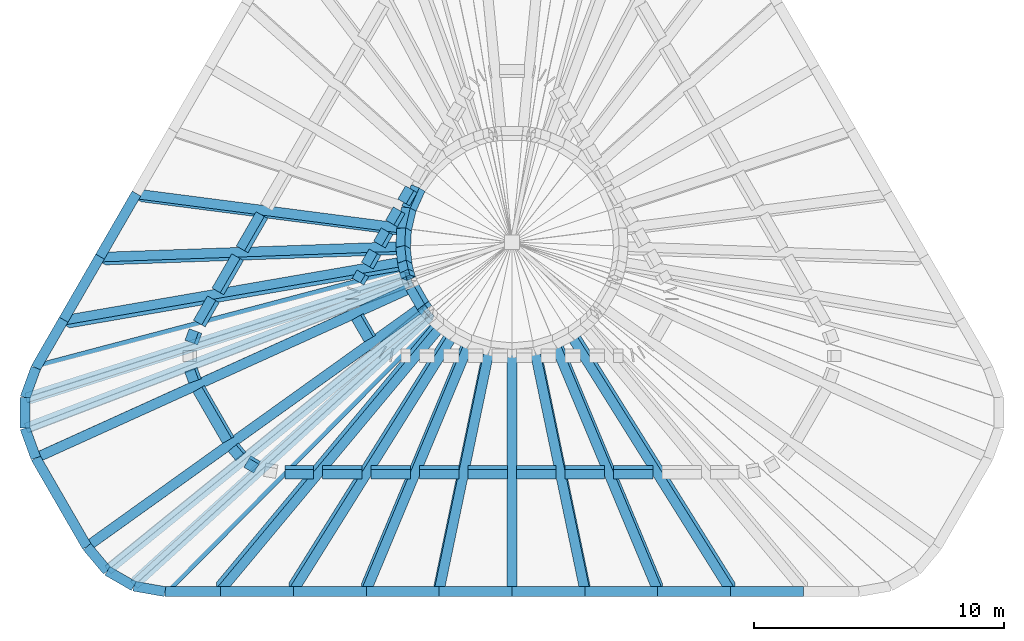
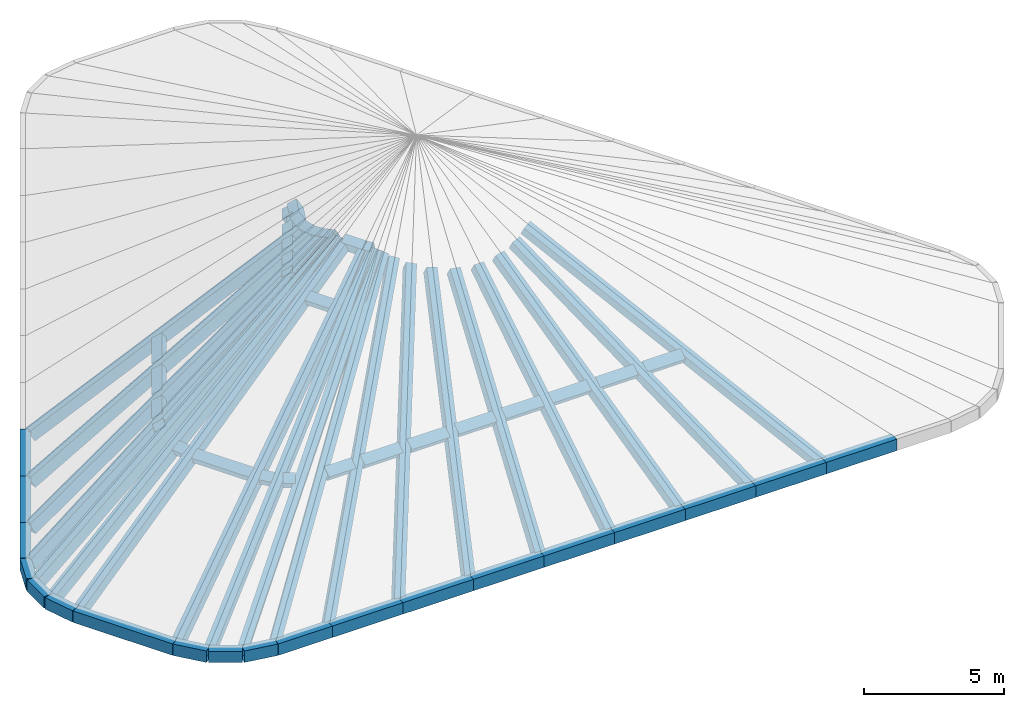
# One storey, part 1 of 5: 68 members.
"""IFC4 building model written with IfcOpenShell, lengths in metres."""

import ifcopenshell
import ifcopenshell.guid

model = None  # the IFC model being written
_history = None  # IfcOwnerHistory: only IFC2X3 demands one
_inside = {}  # id of a spatial element -> (the spatial element, [elements in it])
_under = {}  # id of a project, library or spatial element -> (it, [spatial elements below it])
_declared = {}  # id of a project -> (the project, [libraries it declares])
_typed = {}  # id of a type object -> (the type object, [elements of that type])
_made_of = {}  # id of a material, layer set ... -> (it, [elements and type objects made of it])


def new_model(schema):
    """Start an empty IFC model of exactly this schema.

    Asked for "IFC4X3", IfcOpenShell would pick the latest addendum, in which some entities
    have other attributes; the version numbers below select the first issue.
    IFC2X3 requires an IfcOwnerHistory on every rooted entity: one is made here for all.
    """
    global model, _history
    if schema == "IFC4X3":
        model = ifcopenshell.file(schema_version=(4, 3, 0, 0))
    else:
        model = ifcopenshell.file(schema=schema)
    _inside.clear()
    _under.clear()
    _declared.clear()
    _typed.clear()
    _made_of.clear()
    _history = None
    if model.schema == "IFC2X3":
        org = make("IfcOrganization", Name="unknown")
        user = make(
            "IfcPersonAndOrganization",
            ThePerson=make("IfcPerson", FamilyName="unknown"),
            TheOrganization=org,
        )
        app = make(
            "IfcApplication",
            ApplicationDeveloper=org,
            Version="unknown",
            ApplicationFullName="unknown",
            ApplicationIdentifier="unknown",
        )
        _history = make(
            "IfcOwnerHistory",
            OwningUser=user,
            OwningApplication=app,
            ChangeAction="ADDED",
            CreationDate=0,
        )
    return model


def make(cls, **values):
    """One entity of the class cls with the attributes given. An attribute that is None is left unset."""
    return model.create_entity(
        cls, **{name: value for name, value in values.items() if value is not None}
    )


def rooted(cls, **values):
    """An entity with a GlobalId (a new one), such as an element, a storey or a relation."""
    return make(cls, GlobalId=ifcopenshell.guid.new(), OwnerHistory=_history, **values)


def si_unit(unit_type, name, prefix=None):
    """IfcSIUnit, for example si_unit("LENGTHUNIT", "METRE", prefix="MILLI")."""
    return make("IfcSIUnit", UnitType=unit_type, Prefix=prefix, Name=name)


def assignment(units):
    """IfcUnitAssignment: the units of a project."""
    return None if units is None else make("IfcUnitAssignment", Units=units)


def point(xyz):
    """IfcCartesianPoint."""
    return None if xyz is None else make("IfcCartesianPoint", Coordinates=xyz)


def direction(xyz):
    """IfcDirection."""
    return None if xyz is None else make("IfcDirection", DirectionRatios=xyz)


def frame(location, z_axis=None, x_axis=None):
    """IfcAxis2Placement3D, a coordinate frame: its origin and axes. An axis left out is left unset."""
    return make(
        "IfcAxis2Placement3D",
        Location=point(location),
        Axis=direction(z_axis),
        RefDirection=direction(x_axis),
    )


def frame_2d(location, x_axis=None):
    """IfcAxis2Placement2D, a coordinate frame in the plane: its origin and x axis."""
    return make(
        "IfcAxis2Placement2D", Location=point(location), RefDirection=direction(x_axis)
    )


def origin():
    """The frame at (0, 0, 0) with its axes left unset."""
    return frame((0.0, 0.0, 0.0))


def origin_2d():
    """The frame at (0, 0) in the plane with its x axis left unset."""
    return frame_2d((0.0, 0.0))


def place(relative_to, where):
    """IfcLocalPlacement: puts the frame where relative to a parent placement (None: the world)."""
    return make(
        "IfcLocalPlacement", PlacementRelTo=relative_to, RelativePlacement=where
    )


def context(
    kind, dimensions, precision=None, world=None, true_north=None, identifier=None
):
    """IfcGeometricRepresentationContext, for example the 3D "Model" context."""
    return make(
        "IfcGeometricRepresentationContext",
        ContextIdentifier=identifier,
        ContextType=kind,
        CoordinateSpaceDimension=dimensions,
        Precision=precision,
        WorldCoordinateSystem=world,
        TrueNorth=true_north,
    )


def subcontext(parent, identifier, kind, view, scale=None):
    """IfcGeometricRepresentationSubContext, for example "Body" below "Model"."""
    return make(
        "IfcGeometricRepresentationSubContext",
        ContextIdentifier=identifier,
        ContextType=kind,
        ParentContext=parent,
        TargetScale=scale,
        TargetView=view,
    )


def project(units=None, contexts=None):
    """IfcProject with its units and contexts."""
    return rooted(
        "IfcProject",
        Name="project",
        RepresentationContexts=contexts,
        UnitsInContext=assignment(units),
    )


def spatial(cls, under=None, at=None, **own):
    """A site, building, storey or space (cls), placed at a placement, below another one or the project."""
    s = rooted(cls, ObjectPlacement=at, **own)
    if under is not None:
        _under.setdefault(under.id(), (under, []))[1].append(s)
    return s


def profile(cls, at=None, kind="AREA", **sizes):
    """A parametric profile (cls). Its sizes go by their IFC names, for example OverallWidth=200.0."""
    return make(cls, ProfileType=kind, Position=at, **sizes)


def hollow_rectangle(**sizes):
    """IfcRectangleHollowProfileDef."""
    return profile("IfcRectangleHollowProfileDef", **sizes)


def extrude(swept, where, along, depth):
    """IfcExtrudedAreaSolid: the profile swept, set in the frame where, extruded along a direction by depth."""
    return make(
        "IfcExtrudedAreaSolid",
        SweptArea=swept,
        Position=where,
        ExtrudedDirection=direction(along),
        Depth=depth,
    )


def shape(context_of_items, identifier, shape_type, items):
    """IfcShapeRepresentation: the items that make up one representation, for example the "Body"."""
    return make(
        "IfcShapeRepresentation",
        ContextOfItems=context_of_items,
        RepresentationIdentifier=identifier,
        RepresentationType=shape_type,
        Items=items,
    )


def material(Name=None, Category=None):
    """IfcMaterial."""
    return make("IfcMaterial", Name=Name, Category=Category)


def material_profile(
    of_material, cross_section, Name=None, Category=None, Priority=None
):
    """IfcMaterialProfile: a cross section and its material."""
    return make(
        "IfcMaterialProfile",
        Name=Name,
        Material=of_material,
        Profile=cross_section,
        Priority=Priority,
        Category=Category,
    )


def profile_set(profiles, Name=None, composite=None):
    """IfcMaterialProfileSet."""
    return make(
        "IfcMaterialProfileSet",
        Name=Name,
        MaterialProfiles=profiles,
        CompositeProfile=composite,
    )


def made_of(thing, what):
    """Note that an element or type object is made of a material, layer set ...; save() writes the relation."""
    if what is not None:
        _made_of.setdefault(what.id(), (what, []))[1].append(thing)
    return thing


def type_object(cls, material=None, **own):
    """A type object (cls), such as IfcWallType, which elements share."""
    return made_of(rooted(cls, **own), material)


def element(
    cls,
    number,
    at=None,
    inside=None,
    cuts=None,
    type_object=None,
    material=None,
    context=None,
    identifier="Body",
    shape_type=None,
    held_by="IfcProductDefinitionShape",
    body=None,
    shapes=None,
    **own,
):
    """One element of the class cls, such as IfcWall. Its Tag is "e" and its number.

    at: its placement. inside: the storey or other place that contains it. cuts: it is an
    opening in that element (IfcRelVoidsElement). A single representation is given by context,
    identifier, shape_type and body (its items); several are given by shapes. held_by: the class
    of the entity that holds the representations. save() writes the other relations.
    """
    e = rooted(cls, Tag="e%d" % number, ObjectPlacement=at, **own)
    if body is not None:
        shapes = [shape(context, identifier, shape_type, body)]
    if shapes is not None:
        e.Representation = make(held_by, Representations=shapes)
    if inside is not None:
        _inside.setdefault(inside.id(), (inside, []))[1].append(e)
    if cuts is not None:
        rooted(
            "IfcRelVoidsElement", RelatingBuildingElement=cuts, RelatedOpeningElement=e
        )
    if type_object is not None:
        _typed.setdefault(type_object.id(), (type_object, []))[1].append(e)
    return made_of(e, material)


def aggregate(whole, parts):
    """IfcRelAggregates: a whole, such as a stair, and the parts it consists of."""
    return rooted("IfcRelAggregates", RelatingObject=whole, RelatedObjects=parts)


def save(model, path):
    """Write the relations noted so far, then the file.

    IfcRelAggregates (storeys below a building ...), IfcRelContainedInSpatialStructure (elements
    in a storey), IfcRelDefinesByType, IfcRelAssociatesMaterial and IfcRelDeclares: one each for
    every whole, place, type object, material and project.
    """
    for whole, parts in _under.values():
        aggregate(whole, parts)
    for where, things in _inside.values():
        rooted(
            "IfcRelContainedInSpatialStructure",
            RelatedElements=things,
            RelatingStructure=where,
        )
    for kind, things in _typed.values():
        rooted("IfcRelDefinesByType", RelatedObjects=things, RelatingType=kind)
    for what, things in _made_of.values():
        rooted("IfcRelAssociatesMaterial", RelatedObjects=things, RelatingMaterial=what)
    for by, libraries in _declared.values():
        rooted("IfcRelDeclares", RelatingContext=by, RelatedDefinitions=libraries)
    model.write(path)


model = new_model("IFC4")

# Units and contexts
model_context = context("Model", 3, precision=1e-05, world=origin(), true_north=direction((0.0, 1.0)))
body_context = subcontext(model_context, "Body", "Model", "MODEL_VIEW")
ifc_project = project(units=[si_unit("LENGTHUNIT", "METRE"), si_unit("AREAUNIT", "SQUARE_METRE"), si_unit("VOLUMEUNIT", "CUBIC_METRE"), si_unit("PLANEANGLEUNIT", "RADIAN"), si_unit("MASSUNIT", "GRAM", prefix="KILO")], contexts=[model_context])

# Site, building, storey
site_placement = place(None, origin())
site = spatial("IfcSite", under=ifc_project, at=site_placement, CompositionType="ELEMENT")
building_placement = place(site_placement, origin())
building = spatial("IfcBuilding", under=site, at=building_placement, Name="Apuvela Tower Hotel", CompositionType="ELEMENT")
storey_placement = place(building_placement, frame((0.0, 0.0, 371.300048828125)))
storey = spatial("IfcBuildingStorey", under=building, at=storey_placement, Name="R-7 ROOF", CompositionType="ELEMENT", Elevation=371.300048828125)

# Members
ifc_material_1 = material(Name="Steel S355, dark grey paint system", Category="steel")
ifc_material_profile_1 = material_profile(ifc_material_1, hollow_rectangle(XDim=0.39990234375, YDim=0.449951171875, WallThickness=0.01611328125, at=origin_2d()), Name="HSS 450x400x16")
ifc_profile_set_1 = profile_set([ifc_material_profile_1], Name="Steel S355, dark grey paint system")
member_type_1 = type_object("IfcMemberType", Name="ENV-CROWN-HIP-450x400", PredefinedType="RAFTER", material=ifc_profile_set_1)
member_1_placement = place(storey_placement, frame((-14.882080078125, 1.864990234375, 0.001708984375), z_axis=(0.858674995556, -0.111076142755, 0.500339227442), x_axis=(0.226894776845, 0.957742133192, -0.176773206536)))
element("IfcMember", 1, at=member_1_placement, inside=storey, type_object=member_type_1, Name="Crown frame hip 14", PredefinedType="RAFTER", context=body_context, shape_type="SweptSolid", body=[
    extrude(hollow_rectangle(XDim=0.39990234375, YDim=0.449951171875, WallThickness=0.01611328125, at=origin_2d()), origin(), (0.0, 0.0, 1.0), 12.291015625),
])
member_2_placement = place(storey_placement, frame((-16.33837890625, -0.657470703125, 0.001708984375), z_axis=(0.882711067632, 0.031060085271, 0.468888517863), x_axis=(0.09808332557, 0.963657706766, -0.248482364435)))
element("IfcMember", 2, at=member_2_placement, inside=storey, type_object=member_type_1, Name="Crown frame hip 15", PredefinedType="RAFTER", context=body_context, shape_type="SweptSolid", body=[
    extrude(hollow_rectangle(XDim=0.39990234375, YDim=0.449951171875, WallThickness=0.01611328125, at=origin_2d()), origin(), (0.0, 0.0, 1.0), 13.56689453125),
])
member_3_placement = place(storey_placement, frame((-17.794921875, -3.18017578125, 0.001708984375), z_axis=(0.888014645846, 0.153659932477, 0.433380449391), x_axis=(-0.01525526936, 0.951836677855, -0.306225758953)))
element("IfcMember", 3, at=member_3_placement, inside=storey, type_object=member_type_1, Name="Crown frame hip 16", PredefinedType="RAFTER", context=body_context, shape_type="SweptSolid", body=[
    extrude(hollow_rectangle(XDim=0.39990234375, YDim=0.449951171875, WallThickness=0.01611328125, at=origin_2d()), origin(), (0.0, 0.0, 1.0), 15.197265625),
])
member_4_placement = place(storey_placement, frame((-18.902587890625, -5.09423828125, -0.014892578125), z_axis=(0.883570824251, 0.233340933113, 0.406022914952), x_axis=(-0.114770594684, 0.948476801446, -0.295329422366)))
element("IfcMember", 4, at=member_4_placement, inside=storey, type_object=member_type_1, Name="Crown frame hip 17", PredefinedType="RAFTER", context=body_context, shape_type="SweptSolid", body=[
    extrude(hollow_rectangle(XDim=0.39990234375, YDim=0.449951171875, WallThickness=0.01611328125, at=origin_2d()), origin(), (0.0, 0.0, 1.0), 16.62646484375),
])
member_5_placement = place(storey_placement, frame((-19.33984375, -6.24609375, -0.033447265625), z_axis=(0.875758980688, 0.279705703732, 0.393460197535), x_axis=(-0.219349835439, 0.956605356274, -0.191811996602)))
element("IfcMember", 5, at=member_5_placement, inside=storey, type_object=member_type_1, Name="Crown frame hip 18", PredefinedType="RAFTER", context=body_context, shape_type="SweptSolid", body=[
    extrude(hollow_rectangle(XDim=0.39990234375, YDim=0.449951171875, WallThickness=0.01611328125, at=origin_2d()), origin(), (0.0, 0.0, 1.0), 17.343505859375),
])
member_6_placement = place(storey_placement, frame((-19.35400390625, -7.419189453125, -0.037841796875), z_axis=(0.861368802038, 0.329053265127, 0.386998366385), x_axis=(-0.328203887498, 0.941977626613, -0.070429817495)))
element("IfcMember", 6, at=member_6_placement, inside=storey, type_object=member_type_1, Name="Crown frame hip 19", PredefinedType="RAFTER", context=body_context, shape_type="SweptSolid", body=[
    extrude(hollow_rectangle(XDim=0.39990234375, YDim=0.449951171875, WallThickness=0.01611328125, at=origin_2d()), origin(), (0.0, 0.0, 1.0), 17.7294921875),
])
for number, where, z_axis, x_axis, name in (
    (7, (-18.9345703125, -8.58203125, -0.031982421875), (0.840167545643, 0.38086607067, 0.386082285867), (-0.414340280417, 0.910113928499, 0.003843068445), "Crown frame hip 20"),
    (8, (-16.8994140625, -12.10693359375, -0.031982421875), (0.749913213544, 0.537187745032, 0.386082243491), (-0.581027196846, 0.813875068637, -0.003843068519), "Crown frame hip 21"),
):
    element("IfcMember", number, at=place(storey_placement, frame(where, z_axis=z_axis, x_axis=x_axis)), inside=storey, type_object=member_type_1, Name=name, PredefinedType="RAFTER", context=body_context, shape_type="SweptSolid", body=[
        extrude(hollow_rectangle(XDim=0.39990234375, YDim=0.449951171875, WallThickness=0.01611328125, at=origin_2d()), origin(), (0.0, 0.0, 1.0), 17.78564453125),
    ])
member_7_placement = place(storey_placement, frame((-16.102294921875, -13.051513671875, -0.037841796875), z_axis=(0.715662107138, 0.58143070907, 0.386996226025), x_axis=(-0.65166341444, 0.755231372112, 0.070429886109)))
element("IfcMember", 9, at=member_7_placement, inside=storey, type_object=member_type_1, Name="Crown frame hip 22", PredefinedType="RAFTER", context=body_context, shape_type="SweptSolid", body=[
    extrude(hollow_rectangle(XDim=0.39990234375, YDim=0.449951171875, WallThickness=0.01611328125, at=origin_2d()), origin(), (0.0, 0.0, 1.0), 17.729736328125),
])
member_8_placement = place(storey_placement, frame((-15.0791015625, -13.62548828125, -0.033447265625), z_axis=(0.680114671533, 0.618570163856, 0.393465355467), x_axis=(-0.718765481998, 0.668269793224, 0.191811536025)))
element("IfcMember", 10, at=member_8_placement, inside=storey, type_object=member_type_1, Name="Crown frame hip 23", PredefinedType="RAFTER", context=body_context, shape_type="SweptSolid", body=[
    extrude(hollow_rectangle(XDim=0.39990234375, YDim=0.449951171875, WallThickness=0.01611328125, at=origin_2d()), origin(), (0.0, 0.0, 1.0), 17.34326171875),
])
member_9_placement = place(storey_placement, frame((-13.86279296875, -13.822998046875, -0.014892578125), z_axis=(0.64385926593, 0.648528743365, 0.406024278467), x_axis=(-0.764024347925, 0.573626571647, 0.295329226591)))
element("IfcMember", 11, at=member_9_placement, inside=storey, type_object=member_type_1, Name="Crown frame hip 24", PredefinedType="RAFTER", context=body_context, shape_type="SweptSolid", body=[
    extrude(hollow_rectangle(XDim=0.39990234375, YDim=0.449951171875, WallThickness=0.01611328125, at=origin_2d()), origin(), (0.0, 0.0, 1.0), 16.62646484375),
])
member_10_placement = place(storey_placement, frame((-11.651611328125, -13.82080078125, 0.001708984375), z_axis=(0.57707900281, 0.692215276212, 0.433379551773), x_axis=(-0.816688327639, 0.489127662499, 0.306225905626)))
element("IfcMember", 12, at=member_10_placement, inside=storey, type_object=member_type_1, Name="Crown frame hip 25", PredefinedType="RAFTER", context=body_context, shape_type="SweptSolid", body=[
    extrude(hollow_rectangle(XDim=0.39990234375, YDim=0.449951171875, WallThickness=0.01611328125, at=origin_2d()), origin(), (0.0, 0.0, 1.0), 15.197265625),
])
member_11_placement = place(storey_placement, frame((-8.73876953125, -13.82080078125, 0.001708984375), z_axis=(0.468267224493, 0.748918044307, 0.468879056237), x_axis=(-0.883586898073, 0.396900498728, 0.248483777463)))
element("IfcMember", 13, at=member_11_placement, inside=storey, type_object=member_type_1, Name="Crown frame hip 26", PredefinedType="RAFTER", context=body_context, shape_type="SweptSolid", body=[
    extrude(hollow_rectangle(XDim=0.39990234375, YDim=0.449951171875, WallThickness=0.01611328125, at=origin_2d()), origin(), (0.0, 0.0, 1.0), 13.567138671875),
])
member_12_placement = place(storey_placement, frame((-5.82568359375, -13.82080078125, 0.001708984375), z_axis=(0.33311514369, 0.799178388555, 0.500348083149), x_axis=(-0.942886154865, 0.282342525683, 0.176772161708)))
element("IfcMember", 14, at=member_12_placement, inside=storey, type_object=member_type_1, Name="Crown frame hip 27", PredefinedType="RAFTER", context=body_context, shape_type="SweptSolid", body=[
    extrude(hollow_rectangle(XDim=0.39990234375, YDim=0.449951171875, WallThickness=0.01611328125, at=origin_2d()), origin(), (0.0, 0.0, 1.0), 12.290771484375),
])
member_13_placement = place(storey_placement, frame((-2.912841796875, -13.82080078125, 0.001708984375), z_axis=(0.173951708253, 0.834670118349, 0.522557744877), x_axis=(-0.984754184135, 0.147437420817, 0.092311449844)))
element("IfcMember", 15, at=member_13_placement, inside=storey, type_object=member_type_1, Name="Crown frame hip 28", PredefinedType="RAFTER", context=body_context, shape_type="SweptSolid", body=[
    extrude(hollow_rectangle(XDim=0.39990234375, YDim=0.449951171875, WallThickness=0.01611328125, at=origin_2d()), origin(), (0.0, 0.0, 1.0), 11.466552734375),
])
member_14_placement = place(storey_placement, frame((0.0, -13.82080078125, 0.001708984375), z_axis=(0.0, 0.847589535014, 0.530652409903), x_axis=(-1.0, 0.0, 0.0)))
element("IfcMember", 16, at=member_14_placement, inside=storey, type_object=member_type_1, Name="Crown frame hip 29", PredefinedType="RAFTER", context=body_context, shape_type="SweptSolid", body=[
    extrude(hollow_rectangle(XDim=0.39990234375, YDim=0.449951171875, WallThickness=0.01611328125, at=origin_2d()), origin(), (0.0, 0.0, 1.0), 11.180419921875),
])
member_15_placement = place(storey_placement, frame((2.912841796875, -13.82080078125, 0.001708984375), z_axis=(-0.173951708253, 0.834670118349, 0.522557744877), x_axis=(-0.984754184135, -0.147437420817, -0.092311449844)))
element("IfcMember", 17, at=member_15_placement, inside=storey, type_object=member_type_1, Name="Crown frame hip 30", PredefinedType="RAFTER", context=body_context, shape_type="SweptSolid", body=[
    extrude(hollow_rectangle(XDim=0.39990234375, YDim=0.449951171875, WallThickness=0.01611328125, at=origin_2d()), origin(), (0.0, 0.0, 1.0), 11.466552734375),
])
member_16_placement = place(storey_placement, frame((5.82568359375, -13.82080078125, 0.001708984375), z_axis=(-0.33311514369, 0.799178388555, 0.500348083149), x_axis=(-0.942886154865, -0.282342525683, -0.176772161708)))
element("IfcMember", 18, at=member_16_placement, inside=storey, type_object=member_type_1, Name="Crown frame hip 31", PredefinedType="RAFTER", context=body_context, shape_type="SweptSolid", body=[
    extrude(hollow_rectangle(XDim=0.39990234375, YDim=0.449951171875, WallThickness=0.01611328125, at=origin_2d()), origin(), (0.0, 0.0, 1.0), 12.290771484375),
])
member_17_placement = place(storey_placement, frame((8.73876953125, -13.82080078125, 0.001708984375), z_axis=(-0.468267224493, 0.748918044307, 0.468879056237), x_axis=(-0.883586898073, -0.396900498728, -0.248483777463)))
element("IfcMember", 19, at=member_17_placement, inside=storey, type_object=member_type_1, Name="Crown frame hip 32", PredefinedType="RAFTER", context=body_context, shape_type="SweptSolid", body=[
    extrude(hollow_rectangle(XDim=0.39990234375, YDim=0.449951171875, WallThickness=0.01611328125, at=origin_2d()), origin(), (0.0, 0.0, 1.0), 13.567138671875),
])
ifc_material_profile_2 = material_profile(ifc_material_1, hollow_rectangle(XDim=0.449951171875, YDim=0.300048828125, WallThickness=0.013916015625, at=origin_2d()), Name="HSS 450x300x14")
ifc_profile_set_2 = profile_set([ifc_material_profile_2], Name="Steel S355, dark grey paint system")
member_type_2 = type_object("IfcMemberType", Name="ENV-CROWN-PURLIN-450x300", PredefinedType="PURLIN", material=ifc_profile_set_2)
for number, where, z_axis, x_axis, name in (
    (20, (-10.0009765625, 1.08154296875, 2.98193359375), (-0.499989616998, -0.866031398331, 0.0), (0.734041926549, -0.423787569854, 0.53064728936), "Crown frame purlin 1.14"),
    (21, (-10.971923828125, -0.60009765625, 2.98193359375), (-0.499989616998, -0.866031398331, 0.0), (0.734041926549, -0.423787569854, 0.53064728936), "Crown frame purlin 1.15"),
):
    element("IfcMember", number, at=place(storey_placement, frame(where, z_axis=z_axis, x_axis=x_axis)), inside=storey, type_object=member_type_2, Name=name, PredefinedType="PURLIN", context=body_context, shape_type="SweptSolid", body=[
        extrude(hollow_rectangle(XDim=0.449951171875, YDim=0.300048828125, WallThickness=0.013916015625, at=origin_2d()), origin(), (0.0, 0.0, 1.0), 1.58203125),
    ])
member_18_placement = place(storey_placement, frame((-11.94287109375, -2.281982421875, 2.98193359375), z_axis=(-0.500067487669, -0.865986436254, 0.0), x_axis=(0.73400381702, -0.423853572469, 0.53064728936)))
element("IfcMember", 22, at=member_18_placement, inside=storey, type_object=member_type_2, Name="Crown frame purlin 1.16", PredefinedType="PURLIN", context=body_context, shape_type="SweptSolid", body=[
    extrude(hollow_rectangle(XDim=0.449951171875, YDim=0.300048828125, WallThickness=0.013916015625, at=origin_2d()), origin(), (0.0, 0.0, 1.0), 1.122802734375),
])
for number, where, z_axis, x_axis, name in (
    (23, (-12.657470703125, -3.557373046875, 2.972900390625), (-0.341904541509, -0.939734688354, 0.0), (0.826527039738, -0.300716097925, 0.475839133564), "Crown frame purlin 1.17"),
    (24, (-12.840576171875, -5.099609375, 2.960205078125), (0.341904541509, -0.939734688354, 0.0), (0.86649416341, 0.315257373525, 0.387040893465), "Crown frame purlin 1.19"),
):
    element("IfcMember", number, at=place(storey_placement, frame(where, z_axis=z_axis, x_axis=x_axis)), inside=storey, type_object=member_type_2, Name=name, PredefinedType="PURLIN", context=body_context, shape_type="SweptSolid", body=[
        extrude(hollow_rectangle(XDim=0.449951171875, YDim=0.300048828125, WallThickness=0.013916015625, at=origin_2d()), origin(), (0.0, 0.0, 1.0), 0.485595703125),
    ])
member_19_placement = place(storey_placement, frame((-12.529296875, -5.8671875, 2.96044921875), z_axis=(0.50004387232, -0.866000072607, 0.0), x_axis=(0.798281418168, 0.460941914635, 0.387658778747)))
element("IfcMember", 25, at=member_19_placement, inside=storey, type_object=member_type_2, Name="Crown frame purlin 1.20", PredefinedType="PURLIN", context=body_context, shape_type="SweptSolid", body=[
    extrude(hollow_rectangle(XDim=0.449951171875, YDim=0.300048828125, WallThickness=0.013916015625, at=origin_2d()), origin(), (0.0, 0.0, 1.0), 2.366943359375),
])
member_20_placement = place(storey_placement, frame((-11.148681640625, -8.198486328125, 2.960205078125), z_axis=(0.642555132876, -0.766239454228, 0.0), x_axis=(0.706520705355, 0.59247602457, 0.387040893465)))
element("IfcMember", 26, at=member_20_placement, inside=storey, type_object=member_type_2, Name="Crown frame purlin 1.21", PredefinedType="PURLIN", context=body_context, shape_type="SweptSolid", body=[
    extrude(hollow_rectangle(XDim=0.449951171875, YDim=0.300048828125, WallThickness=0.013916015625, at=origin_2d()), origin(), (0.0, 0.0, 1.0), 0.485595703125),
])
member_21_placement = place(storey_placement, frame((-10.585693359375, -8.77490234375, 2.963134765625), z_axis=(0.865979171045, -0.500080068905, 0.0), x_axis=(0.456155628092, 0.78991604994, 0.409822738519)))
element("IfcMember", 27, at=member_21_placement, inside=storey, type_object=member_type_2, Name="Crown frame purlin 1.22", PredefinedType="PURLIN", context=body_context, shape_type="SweptSolid", body=[
    extrude(hollow_rectangle(XDim=0.449951171875, YDim=0.300048828125, WallThickness=0.013916015625, at=origin_2d()), origin(), (0.0, 0.0, 1.0), 0.453125),
])
member_22_placement = place(storey_placement, frame((-9.0703125, -9.201904296875, 2.98193359375), z_axis=(1.0, 0.0, 0.0), x_axis=(0.0, 0.847592740822, 0.53064728936)))
element("IfcMember", 28, at=member_22_placement, inside=storey, type_object=member_type_2, Name="Crown frame purlin 1.24", PredefinedType="PURLIN", context=body_context, shape_type="SweptSolid", body=[
    extrude(hollow_rectangle(XDim=0.449951171875, YDim=0.300048828125, WallThickness=0.013916015625, at=origin_2d()), origin(), (0.0, 0.0, 1.0), 1.12255859375),
])
for number, where, z_axis, x_axis, name in (
    (29, (-7.587646484375, -9.201904296875, 2.98193359375), (1.0, 0.0, 0.0), (0.0, 0.847592740822, 0.53064728936), "Crown frame purlin 1.25"),
    (30, (-5.645751953125, -9.201904296875, 2.98193359375), (1.0, 0.0, 0.0), (0.0, 0.847592740822, 0.53064728936), "Crown frame purlin 1.26"),
):
    element("IfcMember", number, at=place(storey_placement, frame(where, z_axis=z_axis, x_axis=x_axis)), inside=storey, type_object=member_type_2, Name=name, PredefinedType="PURLIN", context=body_context, shape_type="SweptSolid", body=[
        extrude(hollow_rectangle(XDim=0.449951171875, YDim=0.300048828125, WallThickness=0.013916015625, at=origin_2d()), origin(), (0.0, 0.0, 1.0), 1.581787109375),
    ])
for number, where, z_axis, x_axis, name in (
    (31, (-3.703857421875, -9.201904296875, 2.98193359375), (1.0, 0.0, 0.0), (0.0, 0.847592740822, 0.53064728936), "Crown frame purlin 1.27"),
    (32, (-1.761962890625, -9.201904296875, 2.98193359375), (1.0, 0.0, 0.0), (0.0, 0.847592740822, 0.53064728936), "Crown frame purlin 1.28"),
    (33, (0.179931640625, -9.201904296875, 2.98193359375), (1.0, 0.0, 0.0), (0.0, 0.847592740822, 0.53064728936), "Crown frame purlin 1.29"),
    (34, (2.121826171875, -9.201904296875, 2.98193359375), (1.0, 0.0, 0.0), (0.0, 0.847592740822, 0.53064728936), "Crown frame purlin 1.30"),
):
    element("IfcMember", number, at=place(storey_placement, frame(where, z_axis=z_axis, x_axis=x_axis)), inside=storey, type_object=member_type_2, Name=name, PredefinedType="PURLIN", context=body_context, shape_type="SweptSolid", body=[
        extrude(hollow_rectangle(XDim=0.449951171875, YDim=0.300048828125, WallThickness=0.013916015625, at=origin_2d()), origin(), (0.0, 0.0, 1.0), 1.58203125),
    ])
member_23_placement = place(storey_placement, frame((4.06396484375, -9.201904296875, 2.98193359375), z_axis=(1.0, 0.0, 0.0), x_axis=(0.0, 0.847592740822, 0.53064728936)))
element("IfcMember", 35, at=member_23_placement, inside=storey, type_object=member_type_2, Name="Crown frame purlin 1.31", PredefinedType="PURLIN", context=body_context, shape_type="SweptSolid", body=[
    extrude(hollow_rectangle(XDim=0.449951171875, YDim=0.300048828125, WallThickness=0.013916015625, at=origin_2d()), origin(), (0.0, 0.0, 1.0), 1.581787109375),
])
for number, where, z_axis, x_axis, name in (
    (36, (-4.0244140625, 2.11572265625, 5.898681640625), (-0.500264283676, -0.865872765756, 0.0), (0.733907470731, -0.424020375337, 0.53064728936), "Crown frame purlin 2.12"),
    (37, (-4.510009765625, 1.27490234375, 5.898681640625), (-0.499791624077, -0.866145676259, 0.0), (0.734138787692, -0.423619752492, 0.53064728936), "Crown frame purlin 2.13"),
):
    element("IfcMember", number, at=place(storey_placement, frame(where, z_axis=z_axis, x_axis=x_axis)), inside=storey, type_object=member_type_2, Name=name, PredefinedType="PURLIN", context=body_context, shape_type="SweptSolid", body=[
        extrude(hollow_rectangle(XDim=0.449951171875, YDim=0.300048828125, WallThickness=0.013916015625, at=origin_2d()), origin(), (0.0, 0.0, 1.0), 0.611083984375),
    ])
for number, where, z_axis, x_axis, name in (
    (38, (-4.99560546875, 0.433837890625, 5.898681640625), (-0.499664777424, -0.866218858142, 0.0), (0.734200816125, -0.423512238189, 0.53064728936), "Crown frame purlin 2.14"),
    (39, (-5.48095703125, -0.406982421875, 5.898681640625), (-0.499964620392, -0.866045829247, 0.0), (0.73405415809, -0.423766382912, 0.53064728936), "Crown frame purlin 2.15"),
):
    element("IfcMember", number, at=place(storey_placement, frame(where, z_axis=z_axis, x_axis=x_axis)), inside=storey, type_object=member_type_2, Name=name, PredefinedType="PURLIN", context=body_context, shape_type="SweptSolid", body=[
        extrude(hollow_rectangle(XDim=0.449951171875, YDim=0.300048828125, WallThickness=0.013916015625, at=origin_2d()), origin(), (0.0, 0.0, 1.0), 0.61083984375),
    ])
member_24_placement = place(storey_placement, frame((-5.96630859375, -1.247802734375, 5.898681640625), z_axis=(-0.499925626596, -0.866068339032, 0.0), x_axis=(0.734073237219, -0.423733332053, 0.53064728936)))
element("IfcMember", 40, at=member_24_placement, inside=storey, type_object=member_type_2, Name="Crown frame purlin 2.16", PredefinedType="PURLIN", context=body_context, shape_type="SweptSolid", body=[
    extrude(hollow_rectangle(XDim=0.449951171875, YDim=0.300048828125, WallThickness=0.013916015625, at=origin_2d()), origin(), (0.0, 0.0, 1.0), 0.38134765625),
])
member_25_placement = place(storey_placement, frame((-6.18212890625, -2.98974609375, 5.876953125), z_axis=(0.499933044277, -0.866064057238, 0.0), x_axis=(0.79834039939, 0.460839753019, 0.387658778747)))
element("IfcMember", 41, at=member_25_placement, inside=storey, type_object=member_type_2, Name="Crown frame purlin 2.20", PredefinedType="PURLIN", context=body_context, shape_type="SweptSolid", body=[
    extrude(hollow_rectangle(XDim=0.449951171875, YDim=0.300048828125, WallThickness=0.013916015625, at=origin_2d()), origin(), (0.0, 0.0, 1.0), 1.003662109375),
])
ifc_material_2 = material(Name="Steel S355, black paint system", Category="steel")
ifc_material_profile_3 = material_profile(ifc_material_2, hollow_rectangle(XDim=0.39990234375, YDim=0.5, WallThickness=0.01611328125, at=origin_2d()), Name="HSS 500x400x16")
ifc_profile_set_3 = profile_set([ifc_material_profile_3], Name="Steel S355, black paint system")
member_type_3 = type_object("IfcMemberType", Name="ENV-CROWN-RING-500x400", PredefinedType="STRINGER", material=ifc_profile_set_3)
member_26_placement = place(storey_placement, frame((-15.0166015625, 1.94287109375, 0.0), z_axis=(-0.500015065024, -0.866016705814, 0.0), x_axis=(0.866016705814, -0.500015065024, 0.0)))
element("IfcMember", 42, at=member_26_placement, inside=storey, type_object=member_type_3, Name="Crown frame ring beam 7.14", PredefinedType="STRINGER", context=body_context, shape_type="SweptSolid", body=[
    extrude(hollow_rectangle(XDim=0.39990234375, YDim=0.5, WallThickness=0.01611328125, at=origin_2d()), origin(), (0.0, 0.0, 1.0), 2.9130859375),
])
member_27_placement = place(storey_placement, frame((-16.47314453125, -0.579833984375, 0.0), z_axis=(-0.499952204256, -0.866052996912, 0.0), x_axis=(0.866052996912, -0.499952204256, 0.0)))
element("IfcMember", 43, at=member_27_placement, inside=storey, type_object=member_type_3, Name="Crown frame ring beam 7.15", PredefinedType="STRINGER", context=body_context, shape_type="SweptSolid", body=[
    extrude(hollow_rectangle(XDim=0.39990234375, YDim=0.5, WallThickness=0.01611328125, at=origin_2d()), origin(), (0.0, 0.0, 1.0), 2.912841796875),
])
member_28_placement = place(storey_placement, frame((-17.929443359375, -3.1025390625, 0.0), z_axis=(-0.500023359282, -0.866011916877, 0.0), x_axis=(0.866011916877, -0.500023359282, 0.0)))
element("IfcMember", 44, at=member_28_placement, inside=storey, type_object=member_type_3, Name="Crown frame ring beam 7.16", PredefinedType="STRINGER", context=body_context, shape_type="SweptSolid", body=[
    extrude(hollow_rectangle(XDim=0.39990234375, YDim=0.5, WallThickness=0.01611328125, at=origin_2d()), origin(), (0.0, 0.0, 1.0), 2.22412109375),
])
member_29_placement = place(storey_placement, frame((-19.04150390625, -5.028564453125, 0.0), z_axis=(-0.34203668354, -0.939686600475, 0.0), x_axis=(0.939686600475, -0.34203668354, 0.0)))
element("IfcMember", 45, at=member_29_placement, inside=storey, type_object=member_type_3, Name="Crown frame ring beam 7.17", PredefinedType="STRINGER", context=body_context, shape_type="SweptSolid", body=[
    extrude(hollow_rectangle(XDim=0.39990234375, YDim=0.5, WallThickness=0.01611328125, at=origin_2d()), origin(), (0.0, 0.0, 1.0), 1.268310546875),
])
member_30_placement = place(storey_placement, frame((-19.475341796875, -6.220458984375, 0.0), z_axis=(0.0, -1.0, 0.0), x_axis=(1.0, 0.0, 0.0)))
element("IfcMember", 46, at=member_30_placement, inside=storey, type_object=member_type_3, Name="Crown frame ring beam 7.18", PredefinedType="STRINGER", context=body_context, shape_type="SweptSolid", body=[
    extrude(hollow_rectangle(XDim=0.39990234375, YDim=0.5, WallThickness=0.01611328125, at=origin_2d()), origin(), (0.0, 0.0, 1.0), 1.219482421875),
])
member_31_placement = place(storey_placement, frame((-19.475341796875, -7.43994140625, 0.0), z_axis=(0.34203668354, -0.939686600475, 0.0), x_axis=(0.939686600475, 0.34203668354, 0.0)))
element("IfcMember", 47, at=member_31_placement, inside=storey, type_object=member_type_3, Name="Crown frame ring beam 7.19", PredefinedType="STRINGER", context=body_context, shape_type="SweptSolid", body=[
    extrude(hollow_rectangle(XDim=0.39990234375, YDim=0.5, WallThickness=0.01611328125, at=origin_2d()), origin(), (0.0, 0.0, 1.0), 1.268310546875),
])
member_32_placement = place(storey_placement, frame((-19.04150390625, -8.6318359375, 0.0), z_axis=(0.500003144135, -0.86602358851, 0.0), x_axis=(0.86602358851, 0.500003144135, 0.0)))
element("IfcMember", 48, at=member_32_placement, inside=storey, type_object=member_type_3, Name="Crown frame ring beam 7.20", PredefinedType="STRINGER", context=body_context, shape_type="SweptSolid", body=[
    extrude(hollow_rectangle(XDim=0.39990234375, YDim=0.5, WallThickness=0.01611328125, at=origin_2d()), origin(), (0.0, 0.0, 1.0), 4.0908203125),
])
member_33_placement = place(storey_placement, frame((-16.99609375, -12.174560546875, 0.0), z_axis=(0.642717965607, -0.766102876046, 0.0), x_axis=(0.766102876046, 0.642717965607, 0.0)))
element("IfcMember", 49, at=member_33_placement, inside=storey, type_object=member_type_3, Name="Crown frame ring beam 7.21", PredefinedType="STRINGER", context=body_context, shape_type="SweptSolid", body=[
    extrude(hollow_rectangle(XDim=0.39990234375, YDim=0.5, WallThickness=0.01611328125, at=origin_2d()), origin(), (0.0, 0.0, 1.0), 1.268310546875),
])
member_34_placement = place(storey_placement, frame((-16.180908203125, -13.146240234375, 0.0), z_axis=(0.866078909804, -0.499907313403, 0.0), x_axis=(0.499907313403, 0.866078909804, 0.0)))
element("IfcMember", 50, at=member_34_placement, inside=storey, type_object=member_type_3, Name="Crown frame ring beam 7.22", PredefinedType="STRINGER", context=body_context, shape_type="SweptSolid", body=[
    extrude(hollow_rectangle(XDim=0.39990234375, YDim=0.5, WallThickness=0.01611328125, at=origin_2d()), origin(), (0.0, 0.0, 1.0), 1.219482421875),
])
member_35_placement = place(storey_placement, frame((-15.124755859375, -13.755859375, 0.0), z_axis=(0.984783558818, -0.173785333909, 0.0), x_axis=(0.173785333909, 0.984783558818, 0.0)))
element("IfcMember", 51, at=member_35_placement, inside=storey, type_object=member_type_3, Name="Crown frame ring beam 7.23", PredefinedType="STRINGER", context=body_context, shape_type="SweptSolid", body=[
    extrude(hollow_rectangle(XDim=0.39990234375, YDim=0.5, WallThickness=0.01611328125, at=origin_2d()), origin(), (0.0, 0.0, 1.0), 1.2685546875),
])
member_36_placement = place(storey_placement, frame((-13.87548828125, -13.976318359375, 0.0), z_axis=(1.0, 0.0, 0.0), x_axis=(0.0, 1.0, 0.0)))
element("IfcMember", 52, at=member_36_placement, inside=storey, type_object=member_type_3, Name="Crown frame ring beam 7.24", PredefinedType="STRINGER", context=body_context, shape_type="SweptSolid", body=[
    extrude(hollow_rectangle(XDim=0.39990234375, YDim=0.5, WallThickness=0.01611328125, at=origin_2d()), origin(), (0.0, 0.0, 1.0), 2.223876953125),
])
member_37_placement = place(storey_placement, frame((-11.651611328125, -13.976318359375, 0.0), z_axis=(1.0, 0.0, 0.0), x_axis=(0.0, 1.0, 0.0)))
element("IfcMember", 53, at=member_37_placement, inside=storey, type_object=member_type_3, Name="Crown frame ring beam 7.25", PredefinedType="STRINGER", context=body_context, shape_type="SweptSolid", body=[
    extrude(hollow_rectangle(XDim=0.39990234375, YDim=0.5, WallThickness=0.01611328125, at=origin_2d()), origin(), (0.0, 0.0, 1.0), 2.912841796875),
])
member_38_placement = place(storey_placement, frame((-8.73876953125, -13.976318359375, 0.0), z_axis=(1.0, 0.0, 0.0), x_axis=(0.0, 1.0, 0.0)))
element("IfcMember", 54, at=member_38_placement, inside=storey, type_object=member_type_3, Name="Crown frame ring beam 7.26", PredefinedType="STRINGER", context=body_context, shape_type="SweptSolid", body=[
    extrude(hollow_rectangle(XDim=0.39990234375, YDim=0.5, WallThickness=0.01611328125, at=origin_2d()), origin(), (0.0, 0.0, 1.0), 2.9130859375),
])
for number, where, z_axis, x_axis, name in (
    (55, (-5.82568359375, -13.976318359375, 0.0), (1.0, 0.0, 0.0), (0.0, 1.0, 0.0), "Crown frame ring beam 7.27"),
    (56, (-2.912841796875, -13.976318359375, 0.0), (1.0, 0.0, 0.0), (0.0, 1.0, 0.0), "Crown frame ring beam 7.28"),
    (57, (0.0, -13.976318359375, 0.0), (1.0, 0.0, 0.0), (0.0, 1.0, 0.0), "Crown frame ring beam 7.29"),
    (58, (2.912841796875, -13.976318359375, 0.0), (1.0, 0.0, 0.0), (0.0, 1.0, 0.0), "Crown frame ring beam 7.30"),
):
    element("IfcMember", number, at=place(storey_placement, frame(where, z_axis=z_axis, x_axis=x_axis)), inside=storey, type_object=member_type_3, Name=name, PredefinedType="STRINGER", context=body_context, shape_type="SweptSolid", body=[
        extrude(hollow_rectangle(XDim=0.39990234375, YDim=0.5, WallThickness=0.01611328125, at=origin_2d()), origin(), (0.0, 0.0, 1.0), 2.912841796875),
    ])
member_39_placement = place(storey_placement, frame((5.82568359375, -13.976318359375, 0.0), z_axis=(1.0, 0.0, 0.0), x_axis=(0.0, 1.0, 0.0)))
element("IfcMember", 59, at=member_39_placement, inside=storey, type_object=member_type_3, Name="Crown frame ring beam 7.31", PredefinedType="STRINGER", context=body_context, shape_type="SweptSolid", body=[
    extrude(hollow_rectangle(XDim=0.39990234375, YDim=0.5, WallThickness=0.01611328125, at=origin_2d()), origin(), (0.0, 0.0, 1.0), 2.9130859375),
])
member_40_placement = place(storey_placement, frame((8.73876953125, -13.976318359375, 0.0), z_axis=(1.0, 0.0, 0.0), x_axis=(0.0, 1.0, 0.0)))
element("IfcMember", 60, at=member_40_placement, inside=storey, type_object=member_type_3, Name="Crown frame ring beam 7.32", PredefinedType="STRINGER", context=body_context, shape_type="SweptSolid", body=[
    extrude(hollow_rectangle(XDim=0.39990234375, YDim=0.5, WallThickness=0.01611328125, at=origin_2d()), origin(), (0.0, 0.0, 1.0), 2.912841796875),
])
member_41_placement = place(storey_placement, frame((-3.751220703125, 2.165771484375, 5.913330078125), z_axis=(-0.407554077951, -0.910925597804, 0.064142254496), x_axis=(0.789107107567, -0.315960002025, 0.526762992159)))
element("IfcMember", 61, at=member_41_placement, inside=storey, type_object=member_type_3, Name="Crown apex ring beam 12", PredefinedType="STRINGER", context=body_context, shape_type="SweptSolid", body=[
    extrude(hollow_rectangle(XDim=0.39990234375, YDim=0.5, WallThickness=0.01611328125, at=origin_2d()), origin(), (0.0, 0.0, 1.0), 0.9248046875),
])
member_42_placement = place(storey_placement, frame((-4.128173828125, 1.3232421875, 5.97265625), z_axis=(-0.21799697552, -0.958848275249, 0.181899158099), x_axis=(0.860988516178, -0.101187972568, 0.498457389571)))
element("IfcMember", 62, at=member_42_placement, inside=storey, type_object=member_type_3, Name="Crown apex ring beam 13", PredefinedType="STRINGER", context=body_context, shape_type="SweptSolid", body=[
    extrude(hollow_rectangle(XDim=0.39990234375, YDim=0.5, WallThickness=0.01611328125, at=origin_2d()), origin(), (0.0, 0.0, 1.0), 0.86572265625),
])
member_43_placement = place(storey_placement, frame((-4.31689453125, 0.4931640625, 6.130126953125), z_axis=(-0.04491319191, -0.960059293746, 0.276168350258), x_axis=(0.887014136498, 0.088845690054, 0.453114075053)))
element("IfcMember", 63, at=member_43_placement, inside=storey, type_object=member_type_3, Name="Crown apex ring beam 14", PredefinedType="STRINGER", context=body_context, shape_type="SweptSolid", body=[
    extrude(hollow_rectangle(XDim=0.39990234375, YDim=0.5, WallThickness=0.01611328125, at=origin_2d()), origin(), (0.0, 0.0, 1.0), 0.766357421875),
])
member_44_placement = place(storey_placement, frame((-4.351318359375, -0.24267578125, 6.341796875), z_axis=(0.096959837781, -0.933659596238, 0.3447876857), x_axis=(0.882809415864, 0.240650655292, 0.403404012584)))
element("IfcMember", 64, at=member_44_placement, inside=storey, type_object=member_type_3, Name="Crown apex ring beam 15", PredefinedType="STRINGER", context=body_context, shape_type="SweptSolid", body=[
    extrude(hollow_rectangle(XDim=0.39990234375, YDim=0.5, WallThickness=0.01611328125, at=origin_2d()), origin(), (0.0, 0.0, 1.0), 0.652099609375),
])
member_45_placement = place(storey_placement, frame((-4.2880859375, -0.8515625, 6.566650390625), z_axis=(0.196332275684, -0.900479997565, 0.388058515575), x_axis=(0.866218270961, 0.344733960271, 0.361696563005)))
element("IfcMember", 65, at=member_45_placement, inside=storey, type_object=member_type_3, Name="Crown apex ring beam 16", PredefinedType="STRINGER", context=body_context, shape_type="SweptSolid", body=[
    extrude(hollow_rectangle(XDim=0.39990234375, YDim=0.5, WallThickness=0.01611328125, at=origin_2d()), origin(), (0.0, 0.0, 1.0), 0.424072265625),
])
member_46_placement = place(storey_placement, frame((-4.20751953125, -1.201171875, 6.71875), z_axis=(0.266572827021, -0.914253574041, 0.305089052978), x_axis=(0.853763050632, 0.370879471174, 0.365427244793)))
element("IfcMember", 66, at=member_46_placement, inside=storey, type_object=member_type_3, Name="Crown apex ring beam 17", PredefinedType="STRINGER", context=body_context, shape_type="SweptSolid", body=[
    extrude(hollow_rectangle(XDim=0.39990234375, YDim=0.5, WallThickness=0.01611328125, at=origin_2d()), origin(), (0.0, 0.0, 1.0), 0.240966796875),
])
member_47_placement = place(storey_placement, frame((-3.989990234375, -1.795166015625, 6.818115234375), z_axis=(0.50019444547, -0.865913111531, 0.0), x_axis=(0.798201257192, 0.461080713408, 0.387658778747)))
element("IfcMember", 67, at=member_47_placement, inside=storey, type_object=member_type_3, Name="Crown apex ring beam 20", PredefinedType="STRINGER", context=body_context, shape_type="SweptSolid", body=[
    extrude(hollow_rectangle(XDim=0.39990234375, YDim=0.5, WallThickness=0.01611328125, at=origin_2d()), origin(), (0.0, 0.0, 1.0), 0.880615234375),
])
member_48_placement = place(storey_placement, frame((-3.562255859375, -2.539794921875, 6.818115234375), z_axis=(0.606437365104, -0.79488844616, -0.019648927883), x_axis=(0.737824226074, 0.553346620024, 0.386552621936)))
element("IfcMember", 68, at=member_48_placement, inside=storey, type_object=member_type_3, Name="Crown apex ring beam 21", PredefinedType="STRINGER", context=body_context, shape_type="SweptSolid", body=[
    extrude(hollow_rectangle(XDim=0.39990234375, YDim=0.5, WallThickness=0.01611328125, at=origin_2d()), origin(), (0.0, 0.0, 1.0), 0.2734375),
])

save(model, "model.ifc")
